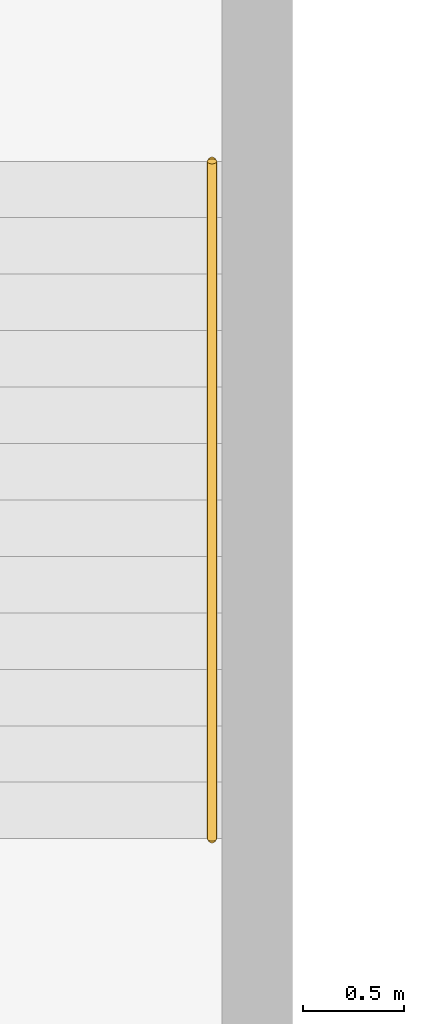
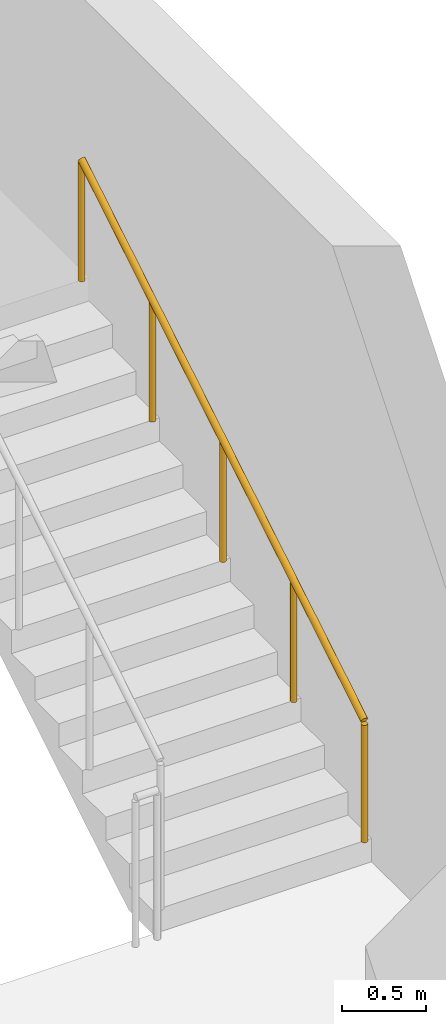
# One storey, part 76 of 76: 1 railing.
"""IFC4 building model written with IfcOpenShell, lengths in metres."""

from ifc_helpers import new_model, si_unit, direction, frame, origin, origin_2d, place, context, subcontext, project, spatial, circle, extrude, material, layer, layer_set, type_object, element, save


model = new_model("IFC4")

# Units and contexts
model_context = context("Model", 3, precision=1e-05, world=origin(), true_north=direction((0.0, 1.0)))
body_context = subcontext(model_context, "Body", "Model", "MODEL_VIEW")
ifc_project = project(units=[si_unit("LENGTHUNIT", "METRE"), si_unit("AREAUNIT", "SQUARE_METRE"), si_unit("VOLUMEUNIT", "CUBIC_METRE"), si_unit("PLANEANGLEUNIT", "RADIAN"), si_unit("MASSUNIT", "GRAM", prefix="KILO")], contexts=[model_context])

# Site, building, storey
site_placement = place(None, origin())
site = spatial("IfcSite", under=ifc_project, at=site_placement, CompositionType="ELEMENT")
building_placement = place(site_placement, origin())
building = spatial("IfcBuilding", under=site, at=building_placement, Name="Zarrinpeak Specialist Clinic", CompositionType="ELEMENT")
storey_placement = place(building_placement, frame((0.0, 0.0, 5.199951171875)))
storey = spatial("IfcBuildingStorey", under=building, at=storey_placement, Name="L01", CompositionType="ELEMENT", Elevation=5.199951171875)

# Railing
ifc_material = material(Name="Brushed Stainless Steel 316 Handrail", Category="steel")
ifc_layer = layer(ifc_material, 0.050048828125)
ifc_layer_set = layer_set([ifc_layer], Name="Brushed Stainless Steel 316 Handrail")
railing_type = type_object("IfcRailingType", Name="RL-HND92", PredefinedType="HANDRAIL", material=ifc_layer_set)
railing_placement = place(storey_placement, frame((64.39990234375, 108.85009765625, 0.169189453125)))
element("IfcRailing", 1, at=railing_placement, inside=storey, type_object=railing_type, Name="L01 ST-12 stair handrail 1", PredefinedType="HANDRAIL", context=body_context, shape_type="SweptSolid", body=[
    extrude(circle(Radius=0.02392578125, at=origin_2d()), frame((0.0, 0.0, 0.8759765625), z_axis=(0.0, 0.855820338506, 0.51727318527), x_axis=(-1.0, 0.0, 0.0)), (0.0, 0.0, 1.0), 3.92578125),
    extrude(circle(Radius=0.02099609375, at=origin_2d()), origin(), (0.0, 0.0, 1.0), 0.851806640625),
    extrude(circle(Radius=0.02099609375, at=origin_2d()), frame((0.0, 0.83984375, 0.5078125)), (0.0, 0.0, 1.0), 0.851806640625),
    extrude(circle(Radius=0.02099609375, at=origin_2d()), frame((0.0, 1.679931640625, 1.015380859375)), (0.0, 0.0, 1.0), 0.851806640625),
    extrude(circle(Radius=0.02099609375, at=origin_2d()), frame((0.0, 2.52001953125, 1.52294921875)), (0.0, 0.0, 1.0), 0.851806640625),
    extrude(circle(Radius=0.02099609375, at=origin_2d()), frame((0.0, 3.35986328125, 2.03076171875)), (0.0, 0.0, 1.0), 0.851806640625),
])

save(model, "model.ifc")
